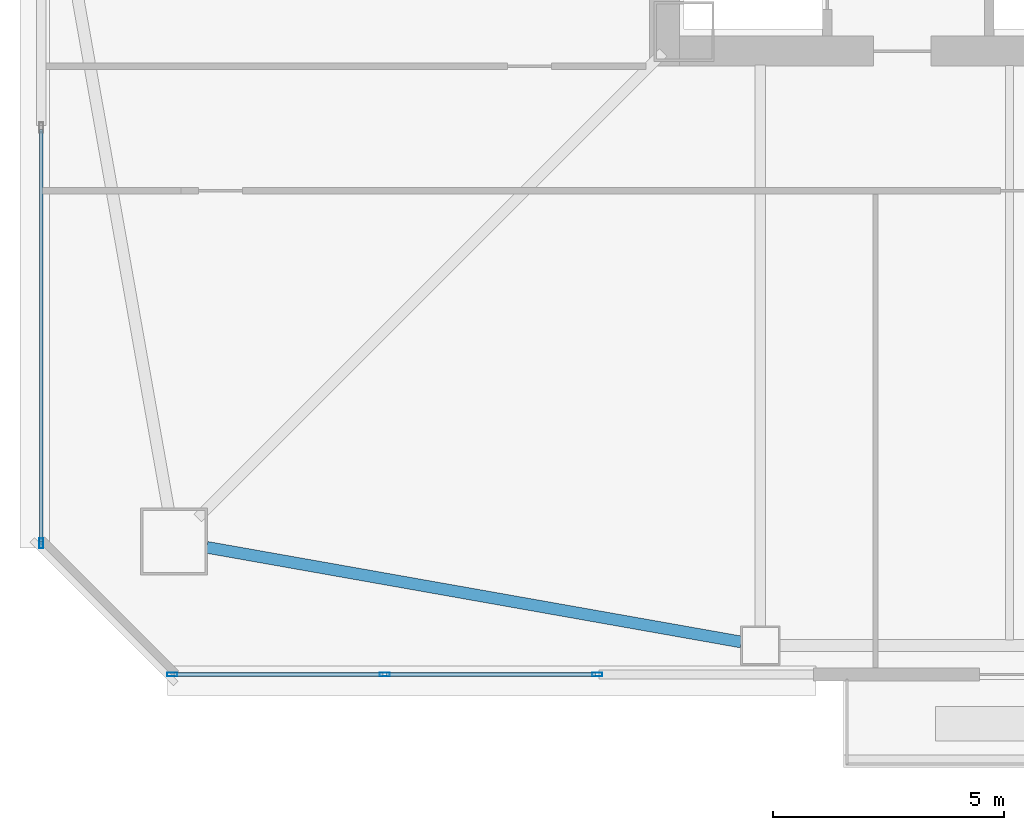
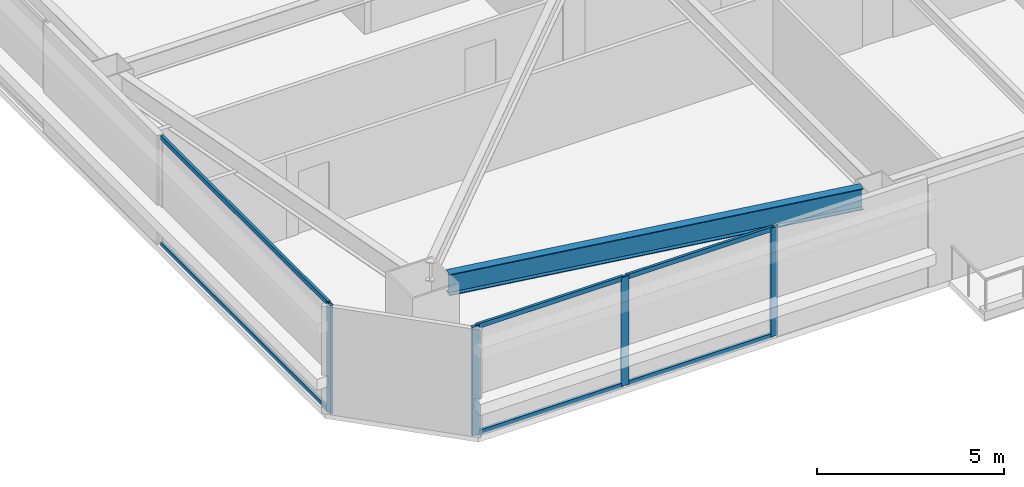
# One storey, part 3 of 44: 10 members, 1 beam, 2 elements without a shape of their own.
"""IFC4 building model written with IfcOpenShell, lengths in metres."""

from ifc_helpers import new_model, si_unit, direction, frame, origin, origin_2d, place, context, subcontext, project, spatial, hollow_rectangle, i_section, extrude, material, material_profile, profile_set, type_object, element, aggregate, save


model = new_model("IFC4")

# Units and contexts
model_context = context("Model", 3, precision=1e-05, world=origin(), true_north=direction((0.0, 1.0)))
body_context = subcontext(model_context, "Body", "Model", "MODEL_VIEW")
ifc_project = project(units=[si_unit("LENGTHUNIT", "METRE"), si_unit("AREAUNIT", "SQUARE_METRE"), si_unit("VOLUMEUNIT", "CUBIC_METRE"), si_unit("PLANEANGLEUNIT", "RADIAN"), si_unit("MASSUNIT", "GRAM", prefix="KILO")], contexts=[model_context])

# Site, building, storey
site_placement = place(None, origin())
site = spatial("IfcSite", under=ifc_project, at=site_placement, CompositionType="ELEMENT")
building_placement = place(site_placement, origin())
building = spatial("IfcBuilding", under=site, at=building_placement, Name="Tashvorn Skyway Center", CompositionType="ELEMENT")
storey_placement = place(building_placement, frame((0.0, 0.0, 95.60009765625)))
storey = spatial("IfcBuildingStorey", under=building, at=storey_placement, Name="L25", CompositionType="ELEMENT", Elevation=95.60009765625)

# Beam
ifc_material_1 = material(Name="Steel ASTM A992 Grade 50", Category="steel")
ifc_material_profile_1 = material_profile(ifc_material_1, i_section(OverallWidth=0.256103515625, OverallDepth=0.693115234375, WebThickness=0.014404296875, FlangeThickness=0.023681640625, at=origin_2d()), Name="W27X114")
ifc_profile_set_1 = profile_set([ifc_material_profile_1], Name="Steel ASTM A992 Grade 50")
beam_type = type_object("IfcBeamType", Name="BM-SPANDREL-W27X114", PredefinedType="SPANDREL", material=ifc_profile_set_1)
beam_placement = place(storey_placement, frame((24.60888671875, 13.7744140625, 3.00341796875), z_axis=(0.98466816531, -0.174437966698, 0.0), x_axis=(0.174437966698, 0.98466816531, 0.0)))
element("IfcBeam", 1, at=beam_placement, inside=storey, type_object=beam_type, Name="Tower 1 L25 Spandrel Beam 01", PredefinedType="SPANDREL", context=body_context, shape_type="SweptSolid", body=[
    extrude(i_section(OverallWidth=0.256103515625, OverallDepth=0.693115234375, WebThickness=0.014404296875, FlangeThickness=0.023681640625, at=origin_2d()), origin(), (0.0, 0.0, 1.0), 11.7578125),
])

# Curtain wall, members
ifc_material_2 = material(Name="Thermally broken bronze-anodized aluminium 6063-T6", Category="aluminium")
curtain_wall_type = type_object("IfcCurtainWallType", Name="CW-CW-Z2", PredefinedType="NOTDEFINED", material=ifc_material_2)
curtain_wall_1_placement = place(storey_placement, origin())
curtain_wall_1 = element("IfcCurtainWall", 2, at=curtain_wall_1_placement, inside=storey, type_object=curtain_wall_type, Name="Tower 1 L25 South Curtain Wall R Glazing Group 1", PredefinedType="NOTDEFINED")
ifc_material_profile_2 = material_profile(ifc_material_2, hollow_rectangle(XDim=0.080078125, YDim=0.219970703125, WallThickness=0.0048828125, at=origin_2d()), Name="ALU-MULL-80x220")
ifc_profile_set_2 = profile_set([ifc_material_profile_2], Name="Thermally broken bronze-anodized aluminium 6063-T6")
member_type_1 = type_object("IfcMemberType", Name="CWM-CW-Z2", PredefinedType="MULLION", material=ifc_profile_set_2)
member_1_placement = place(storey_placement, frame((33.066650390625, 11.02001953125, 0.0), z_axis=(0.0, 0.0, 1.0), x_axis=(0.0, -1.0, 0.0)))
member_1 = element("IfcMember", 3, at=member_1_placement, type_object=member_type_1, Name="CW-Z2 mullion 1", PredefinedType="MULLION", context=body_context, shape_type="SweptSolid", body=[
    extrude(hollow_rectangle(XDim=0.080078125, YDim=0.219970703125, WallThickness=0.0048828125, at=origin_2d()), origin(), (0.0, 0.0, 1.0), 3.5498046875),
])
member_2_placement = place(storey_placement, frame((28.46337890625, 11.02001953125, 0.0), z_axis=(0.0, 0.0, 1.0), x_axis=(0.0, -1.0, 0.0)))
member_2 = element("IfcMember", 4, at=member_2_placement, type_object=member_type_1, Name="CW-Z2 mullion 2", PredefinedType="MULLION", context=body_context, shape_type="SweptSolid", body=[
    extrude(hollow_rectangle(XDim=0.080078125, YDim=0.219970703125, WallThickness=0.0048828125, at=origin_2d()), origin(), (0.0, 0.0, 1.0), 3.5498046875),
])
member_3_placement = place(storey_placement, frame((23.860107421875, 11.02001953125, 0.0), z_axis=(0.0, 0.0, 1.0), x_axis=(0.0, -1.0, 0.0)))
member_3 = element("IfcMember", 5, at=member_3_placement, type_object=member_type_1, Name="CW-Z2 mullion 3", PredefinedType="MULLION", context=body_context, shape_type="SweptSolid", body=[
    extrude(hollow_rectangle(XDim=0.080078125, YDim=0.219970703125, WallThickness=0.0048828125, at=origin_2d()), origin(), (0.0, 0.0, 1.0), 3.5498046875),
])

# Curtain wall, member
curtain_wall_2_placement = place(storey_placement, origin())
curtain_wall_2 = element("IfcCurtainWall", 6, at=curtain_wall_2_placement, inside=storey, type_object=curtain_wall_type, Name="Tower 1 L25 West Unitised Curtain Wall Glazing Group 1", PredefinedType="NOTDEFINED")
member_4_placement = place(storey_placement, frame((21.02001953125, 13.860107421875, 0.0), z_axis=(0.0, 0.0, 1.0), x_axis=(-1.0, 0.0, 0.0)))
member_4 = element("IfcMember", 7, at=member_4_placement, type_object=member_type_1, Name="CW-Z2 mullion 1", PredefinedType="MULLION", context=body_context, shape_type="SweptSolid", body=[
    extrude(hollow_rectangle(XDim=0.080078125, YDim=0.219970703125, WallThickness=0.0048828125, at=origin_2d()), origin(), (0.0, 0.0, 1.0), 3.5498046875),
])

# Member
ifc_material_profile_3 = material_profile(ifc_material_2, hollow_rectangle(XDim=0.080078125, YDim=0.14990234375, WallThickness=0.00439453125, at=origin_2d()), Name="ALU-TRAN-80x150")
ifc_profile_set_3 = profile_set([ifc_material_profile_3], Name="Thermally broken bronze-anodized aluminium 6063-T6")
member_type_2 = type_object("IfcMemberType", Name="CWT-CW-Z2", PredefinedType="USERDEFINED", material=ifc_profile_set_3)
member_5_placement = place(storey_placement, frame((33.026611328125, 11.02001953125, 0.039794921875), z_axis=(-1.0, 0.0, 0.0), x_axis=(0.0, -1.0, 0.0)))
member_5 = element("IfcMember", 8, at=member_5_placement, type_object=member_type_2, Name="CW-Z2 transom 1.1", ObjectType="TRANSOM", PredefinedType="USERDEFINED", context=body_context, shape_type="SweptSolid", body=[
    extrude(hollow_rectangle(XDim=0.080078125, YDim=0.14990234375, WallThickness=0.00439453125, at=origin_2d()), origin(), (0.0, 0.0, 1.0), 4.523193359375),
])

member_6_placement = place(storey_placement, frame((33.026611328125, 11.02001953125, 3.510009765625), z_axis=(-1.0, 0.0, 0.0), x_axis=(0.0, -1.0, 0.0)))
member_6 = element("IfcMember", 9, at=member_6_placement, type_object=member_type_2, Name="CW-Z2 transom 1.2", ObjectType="TRANSOM", PredefinedType="USERDEFINED", context=body_context, shape_type="SweptSolid", body=[
    extrude(hollow_rectangle(XDim=0.080078125, YDim=0.14990234375, WallThickness=0.00439453125, at=origin_2d()), origin(), (0.0, 0.0, 1.0), 4.523193359375),
])

member_7_placement = place(storey_placement, frame((28.42333984375, 11.02001953125, 0.039794921875), z_axis=(-1.0, 0.0, 0.0), x_axis=(0.0, -1.0, 0.0)))
member_7 = element("IfcMember", 10, at=member_7_placement, type_object=member_type_2, Name="CW-Z2 transom 2.1", ObjectType="TRANSOM", PredefinedType="USERDEFINED", context=body_context, shape_type="SweptSolid", body=[
    extrude(hollow_rectangle(XDim=0.080078125, YDim=0.14990234375, WallThickness=0.00439453125, at=origin_2d()), origin(), (0.0, 0.0, 1.0), 4.5234375),
])

member_8_placement = place(storey_placement, frame((28.42333984375, 11.02001953125, 3.510009765625), z_axis=(-1.0, 0.0, 0.0), x_axis=(0.0, -1.0, 0.0)))
member_8 = element("IfcMember", 11, at=member_8_placement, type_object=member_type_2, Name="CW-Z2 transom 2.2", ObjectType="TRANSOM", PredefinedType="USERDEFINED", context=body_context, shape_type="SweptSolid", body=[
    extrude(hollow_rectangle(XDim=0.080078125, YDim=0.14990234375, WallThickness=0.00439453125, at=origin_2d()), origin(), (0.0, 0.0, 1.0), 4.5234375),
])

aggregate(curtain_wall_1, [member_1, member_2, member_3, member_5, member_6, member_7, member_8])

member_9_placement = place(storey_placement, frame((21.02001953125, 13.89990234375, 0.039794921875), z_axis=(0.0, 1.0, 0.0), x_axis=(-1.0, 0.0, 0.0)))
member_9 = element("IfcMember", 12, at=member_9_placement, type_object=member_type_2, Name="CW-Z2 transom 1.1", ObjectType="TRANSOM", PredefinedType="USERDEFINED", context=body_context, shape_type="SweptSolid", body=[
    extrude(hollow_rectangle(XDim=0.080078125, YDim=0.14990234375, WallThickness=0.00439453125, at=origin_2d()), origin(), (0.0, 0.0, 1.0), 8.93017578125),
])

member_10_placement = place(storey_placement, frame((21.02001953125, 13.89990234375, 3.510009765625), z_axis=(0.0, 1.0, 0.0), x_axis=(-1.0, 0.0, 0.0)))
member_10 = element("IfcMember", 13, at=member_10_placement, type_object=member_type_2, Name="CW-Z2 transom 1.2", ObjectType="TRANSOM", PredefinedType="USERDEFINED", context=body_context, shape_type="SweptSolid", body=[
    extrude(hollow_rectangle(XDim=0.080078125, YDim=0.14990234375, WallThickness=0.00439453125, at=origin_2d()), origin(), (0.0, 0.0, 1.0), 8.93017578125),
])

aggregate(curtain_wall_2, [member_4, member_9, member_10])

save(model, "model.ifc")
